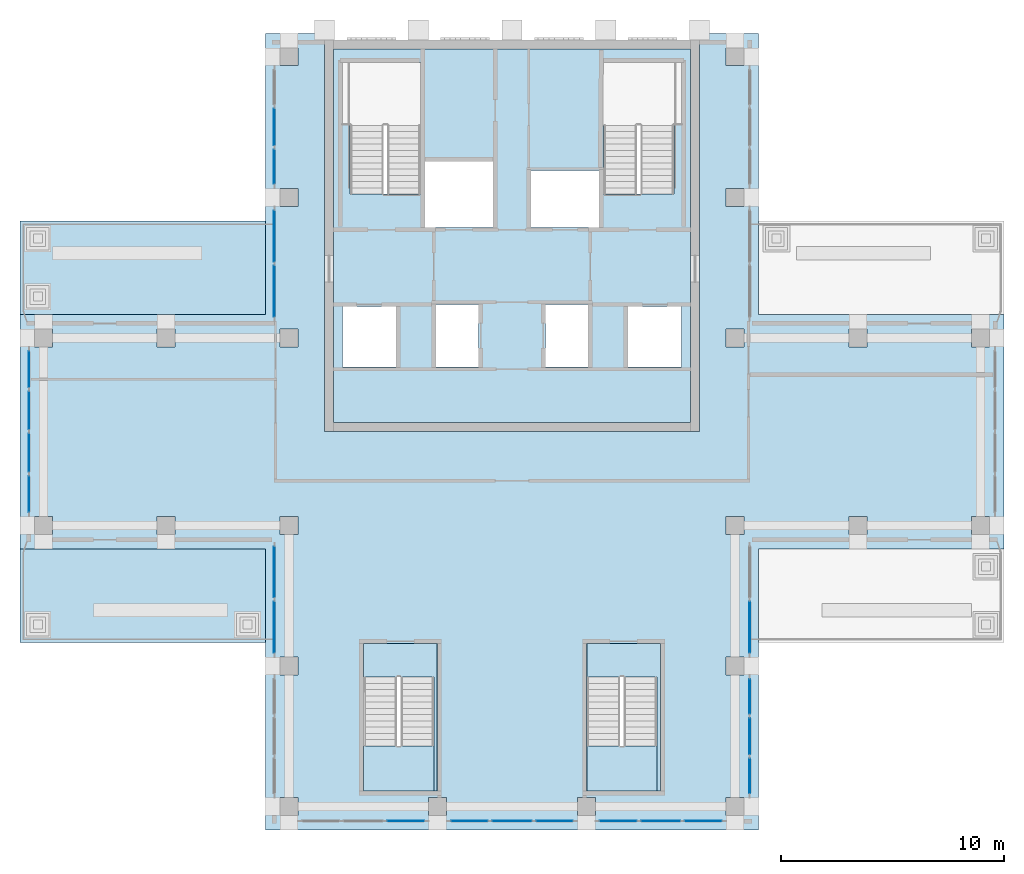
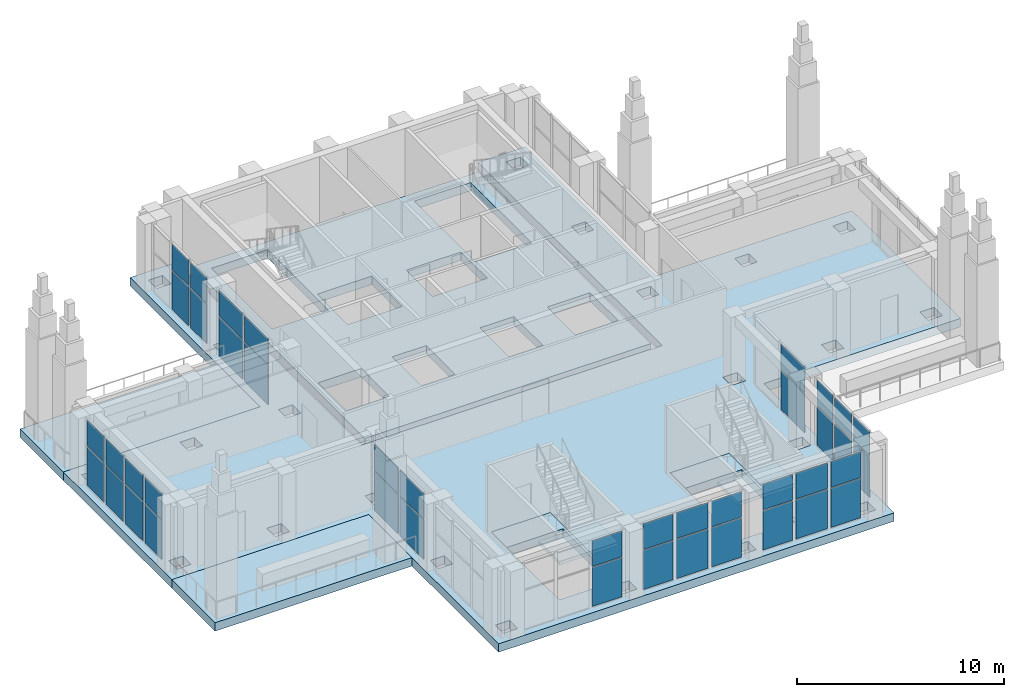
# One storey, part 7 of 14: 42 plates, 8 slabs, 11 elements without a shape of their own.
"""IFC4 building model written with IfcOpenShell, lengths in metres."""

from ifc_helpers import new_model, si_unit, direction, frame, origin, origin_2d, place, context, subcontext, project, spatial, polyline, rectangle, outline, extrude, material, layer, layer_set, type_object, element, aggregate, save


model = new_model("IFC4")

# Units and contexts
model_context = context("Model", 3, precision=1e-05, world=origin(), true_north=direction((0.0, 1.0)))
body_context = subcontext(model_context, "Body", "Model", "MODEL_VIEW")
ifc_project = project(units=[si_unit("LENGTHUNIT", "METRE"), si_unit("AREAUNIT", "SQUARE_METRE"), si_unit("VOLUMEUNIT", "CUBIC_METRE"), si_unit("PLANEANGLEUNIT", "RADIAN"), si_unit("MASSUNIT", "GRAM", prefix="KILO")], contexts=[model_context])

# Site, building, storey
site_placement = place(None, origin())
site = spatial("IfcSite", under=ifc_project, at=site_placement, CompositionType="ELEMENT")
building_placement = place(site_placement, origin())
building = spatial("IfcBuilding", under=site, at=building_placement, Name="Vermilion Ogive Tower", CompositionType="ELEMENT")
storey_placement = place(building_placement, frame((0.0, 0.0, 284.85009765625)))
storey = spatial("IfcBuildingStorey", under=building, at=storey_placement, Name="L74", CompositionType="ELEMENT", Elevation=284.85009765625)

# Curtain wall, plates
ifc_material_1 = material(Name="Low-iron laminated glazing in aluminium frame", Category="aluminium")
curtain_wall_type = type_object("IfcCurtainWallType", Name="Curtain wall CW3", PredefinedType="NOTDEFINED", material=ifc_material_1)
curtain_wall_1_placement = place(storey_placement, origin())
curtain_wall_1 = element("IfcCurtainWall", 1, at=curtain_wall_1_placement, inside=storey, type_object=curtain_wall_type, Name="CW3 glazing S1", PredefinedType="NOTDEFINED")
ifc_material_2 = material(Name="Low-iron laminated glazing in aluminium frame", Category="aluminium")
ifc_layer_1 = layer(ifc_material_2, 0.035888671875)
ifc_layer_set_1 = layer_set([ifc_layer_1], Name="CW3 glazing panel 36")
plate_type = type_object("IfcPlateType", Name="CW3 glazing panel 36", PredefinedType="CURTAIN_PANEL", material=ifc_layer_set_1)
plate_1_placement = place(storey_placement, frame((-4.76123046875, -13.25, 0.059814453125), z_axis=(0.0, 0.0, 1.0), x_axis=(1.0, 0.0, 0.0)))
plate_1 = element("IfcPlate", 2, at=plate_1_placement, type_object=plate_type, Name="CW3-S1 panel 3.1", PredefinedType="CURTAIN_PANEL", context=body_context, shape_type="SweptSolid", body=[
    extrude(rectangle(XDim=1.655517578125, YDim=0.035888671875, at=origin_2d()), origin(), (0.0, 0.0, 1.0), 2.31005859375),
])
plate_2_placement = place(storey_placement, frame((-4.76123046875, -13.25, 2.4296875), z_axis=(0.0, 0.0, 1.0), x_axis=(1.0, 0.0, 0.0)))
plate_2 = element("IfcPlate", 3, at=plate_2_placement, type_object=plate_type, Name="CW3-S1 panel 3.2", PredefinedType="CURTAIN_PANEL", context=body_context, shape_type="SweptSolid", body=[
    extrude(rectangle(XDim=1.655517578125, YDim=0.035888671875, at=origin_2d()), origin(), (0.0, 0.0, 1.0), 1.510009765625),
])
aggregate(curtain_wall_1, [plate_1, plate_2])

curtain_wall_2_placement = place(storey_placement, origin())
curtain_wall_2 = element("IfcCurtainWall", 4, at=curtain_wall_2_placement, inside=storey, type_object=curtain_wall_type, Name="CW3 glazing S2", PredefinedType="NOTDEFINED")
plate_3_placement = place(storey_placement, frame((-1.905517578125, -13.25, 0.059814453125), z_axis=(0.0, 0.0, 1.0), x_axis=(1.0, 0.0, 0.0)))
plate_3 = element("IfcPlate", 5, at=plate_3_placement, type_object=plate_type, Name="CW3-S2 panel 1.1", PredefinedType="CURTAIN_PANEL", context=body_context, shape_type="SweptSolid", body=[
    extrude(rectangle(XDim=1.655517578125, YDim=0.035888671875, at=origin_2d()), origin(), (0.0, 0.0, 1.0), 2.31005859375),
])
plate_4_placement = place(storey_placement, frame((-1.905517578125, -13.25, 2.4296875), z_axis=(0.0, 0.0, 1.0), x_axis=(1.0, 0.0, 0.0)))
plate_4 = element("IfcPlate", 6, at=plate_4_placement, type_object=plate_type, Name="CW3-S2 panel 1.2", PredefinedType="CURTAIN_PANEL", context=body_context, shape_type="SweptSolid", body=[
    extrude(rectangle(XDim=1.655517578125, YDim=0.035888671875, at=origin_2d()), origin(), (0.0, 0.0, 1.0), 1.510009765625),
])
plate_5_placement = place(storey_placement, frame((0.0, -13.25, 0.059814453125), z_axis=(0.0, 0.0, 1.0), x_axis=(1.0, 0.0, 0.0)))
plate_5 = element("IfcPlate", 7, at=plate_5_placement, type_object=plate_type, Name="CW3-S2 panel 2.1", PredefinedType="CURTAIN_PANEL", context=body_context, shape_type="SweptSolid", body=[
    extrude(rectangle(XDim=1.755615234375, YDim=0.035888671875, at=origin_2d()), origin(), (0.0, 0.0, 1.0), 2.31005859375),
])
plate_6_placement = place(storey_placement, frame((0.0, -13.25, 2.4296875), z_axis=(0.0, 0.0, 1.0), x_axis=(1.0, 0.0, 0.0)))
plate_6 = element("IfcPlate", 8, at=plate_6_placement, type_object=plate_type, Name="CW3-S2 panel 2.2", PredefinedType="CURTAIN_PANEL", context=body_context, shape_type="SweptSolid", body=[
    extrude(rectangle(XDim=1.755615234375, YDim=0.035888671875, at=origin_2d()), origin(), (0.0, 0.0, 1.0), 1.510009765625),
])
plate_7_placement = place(storey_placement, frame((1.905517578125, -13.25, 0.059814453125), z_axis=(0.0, 0.0, 1.0), x_axis=(1.0, 0.0, 0.0)))
plate_7 = element("IfcPlate", 9, at=plate_7_placement, type_object=plate_type, Name="CW3-S2 panel 3.1", PredefinedType="CURTAIN_PANEL", context=body_context, shape_type="SweptSolid", body=[
    extrude(rectangle(XDim=1.655517578125, YDim=0.035888671875, at=origin_2d()), origin(), (0.0, 0.0, 1.0), 2.31005859375),
])
plate_8_placement = place(storey_placement, frame((1.905517578125, -13.25, 2.4296875), z_axis=(0.0, 0.0, 1.0), x_axis=(1.0, 0.0, 0.0)))
plate_8 = element("IfcPlate", 10, at=plate_8_placement, type_object=plate_type, Name="CW3-S2 panel 3.2", PredefinedType="CURTAIN_PANEL", context=body_context, shape_type="SweptSolid", body=[
    extrude(rectangle(XDim=1.655517578125, YDim=0.035888671875, at=origin_2d()), origin(), (0.0, 0.0, 1.0), 1.510009765625),
])
aggregate(curtain_wall_2, [plate_3, plate_4, plate_5, plate_6, plate_7, plate_8])

curtain_wall_3_placement = place(storey_placement, origin())
curtain_wall_3 = element("IfcCurtainWall", 11, at=curtain_wall_3_placement, inside=storey, type_object=curtain_wall_type, Name="CW3 glazing S3", PredefinedType="NOTDEFINED")
plate_9_placement = place(storey_placement, frame((4.76123046875, -13.25, 0.059814453125), z_axis=(0.0, 0.0, 1.0), x_axis=(1.0, 0.0, 0.0)))
plate_9 = element("IfcPlate", 12, at=plate_9_placement, type_object=plate_type, Name="CW3-S3 panel 1.1", PredefinedType="CURTAIN_PANEL", context=body_context, shape_type="SweptSolid", body=[
    extrude(rectangle(XDim=1.655517578125, YDim=0.035888671875, at=origin_2d()), origin(), (0.0, 0.0, 1.0), 2.31005859375),
])
plate_10_placement = place(storey_placement, frame((4.76123046875, -13.25, 2.4296875), z_axis=(0.0, 0.0, 1.0), x_axis=(1.0, 0.0, 0.0)))
plate_10 = element("IfcPlate", 13, at=plate_10_placement, type_object=plate_type, Name="CW3-S3 panel 1.2", PredefinedType="CURTAIN_PANEL", context=body_context, shape_type="SweptSolid", body=[
    extrude(rectangle(XDim=1.655517578125, YDim=0.035888671875, at=origin_2d()), origin(), (0.0, 0.0, 1.0), 1.510009765625),
])
plate_11_placement = place(storey_placement, frame((6.666748046875, -13.25, 0.059814453125), z_axis=(0.0, 0.0, 1.0), x_axis=(1.0, 0.0, 0.0)))
plate_11 = element("IfcPlate", 14, at=plate_11_placement, type_object=plate_type, Name="CW3-S3 panel 2.1", PredefinedType="CURTAIN_PANEL", context=body_context, shape_type="SweptSolid", body=[
    extrude(rectangle(XDim=1.755615234375, YDim=0.035888671875, at=origin_2d()), origin(), (0.0, 0.0, 1.0), 2.31005859375),
])
plate_12_placement = place(storey_placement, frame((6.666748046875, -13.25, 2.4296875), z_axis=(0.0, 0.0, 1.0), x_axis=(1.0, 0.0, 0.0)))
plate_12 = element("IfcPlate", 15, at=plate_12_placement, type_object=plate_type, Name="CW3-S3 panel 2.2", PredefinedType="CURTAIN_PANEL", context=body_context, shape_type="SweptSolid", body=[
    extrude(rectangle(XDim=1.755615234375, YDim=0.035888671875, at=origin_2d()), origin(), (0.0, 0.0, 1.0), 1.510009765625),
])
plate_13_placement = place(storey_placement, frame((8.572265625, -13.25, 0.059814453125), z_axis=(0.0, 0.0, 1.0), x_axis=(1.0, 0.0, 0.0)))
plate_13 = element("IfcPlate", 16, at=plate_13_placement, type_object=plate_type, Name="CW3-S3 panel 3.1", PredefinedType="CURTAIN_PANEL", context=body_context, shape_type="SweptSolid", body=[
    extrude(rectangle(XDim=1.655517578125, YDim=0.035888671875, at=origin_2d()), origin(), (0.0, 0.0, 1.0), 2.31005859375),
])
plate_14_placement = place(storey_placement, frame((8.572265625, -13.25, 2.4296875), z_axis=(0.0, 0.0, 1.0), x_axis=(1.0, 0.0, 0.0)))
plate_14 = element("IfcPlate", 17, at=plate_14_placement, type_object=plate_type, Name="CW3-S3 panel 3.2", PredefinedType="CURTAIN_PANEL", context=body_context, shape_type="SweptSolid", body=[
    extrude(rectangle(XDim=1.655517578125, YDim=0.035888671875, at=origin_2d()), origin(), (0.0, 0.0, 1.0), 1.510009765625),
])
aggregate(curtain_wall_3, [plate_9, plate_10, plate_11, plate_12, plate_13, plate_14])

curtain_wall_4_placement = place(storey_placement, origin())
curtain_wall_4 = element("IfcCurtainWall", 18, at=curtain_wall_4_placement, inside=storey, type_object=curtain_wall_type, Name="CW3 glazing X11", PredefinedType="NOTDEFINED")
plate_15_placement = place(storey_placement, frame((10.64990234375, -11.2333984375, 0.059814453125), z_axis=(0.0, 0.0, 1.0), x_axis=(0.0, 1.0, 0.0)))
plate_15 = element("IfcPlate", 19, at=plate_15_placement, type_object=plate_type, Name="CW3-X11 panel 1.1", PredefinedType="CURTAIN_PANEL", context=body_context, shape_type="SweptSolid", body=[
    extrude(rectangle(XDim=1.533447265625, YDim=0.035888671875, at=origin_2d()), origin(), (0.0, 0.0, 1.0), 2.31005859375),
])
plate_16_placement = place(storey_placement, frame((10.64990234375, -11.2333984375, 2.4296875), z_axis=(0.0, 0.0, 1.0), x_axis=(0.0, 1.0, 0.0)))
plate_16 = element("IfcPlate", 20, at=plate_16_placement, type_object=plate_type, Name="CW3-X11 panel 1.2", PredefinedType="CURTAIN_PANEL", context=body_context, shape_type="SweptSolid", body=[
    extrude(rectangle(XDim=1.533447265625, YDim=0.035888671875, at=origin_2d()), origin(), (0.0, 0.0, 1.0), 1.510009765625),
])
plate_17_placement = place(storey_placement, frame((10.64990234375, -9.449951171875, 0.059814453125), z_axis=(0.0, 0.0, 1.0), x_axis=(0.0, 1.0, 0.0)))
plate_17 = element("IfcPlate", 21, at=plate_17_placement, type_object=plate_type, Name="CW3-X11 panel 2.1", PredefinedType="CURTAIN_PANEL", context=body_context, shape_type="SweptSolid", body=[
    extrude(rectangle(XDim=1.63330078125, YDim=0.035888671875, at=origin_2d()), origin(), (0.0, 0.0, 1.0), 2.31005859375),
])
plate_18_placement = place(storey_placement, frame((10.64990234375, -9.449951171875, 2.4296875), z_axis=(0.0, 0.0, 1.0), x_axis=(0.0, 1.0, 0.0)))
plate_18 = element("IfcPlate", 22, at=plate_18_placement, type_object=plate_type, Name="CW3-X11 panel 2.2", PredefinedType="CURTAIN_PANEL", context=body_context, shape_type="SweptSolid", body=[
    extrude(rectangle(XDim=1.63330078125, YDim=0.035888671875, at=origin_2d()), origin(), (0.0, 0.0, 1.0), 1.510009765625),
])
plate_19_placement = place(storey_placement, frame((10.64990234375, -7.666748046875, 0.059814453125), z_axis=(0.0, 0.0, 1.0), x_axis=(0.0, 1.0, 0.0)))
plate_19 = element("IfcPlate", 23, at=plate_19_placement, type_object=plate_type, Name="CW3-X11 panel 3.1", PredefinedType="CURTAIN_PANEL", context=body_context, shape_type="SweptSolid", body=[
    extrude(rectangle(XDim=1.533447265625, YDim=0.035888671875, at=origin_2d()), origin(), (0.0, 0.0, 1.0), 2.31005859375),
])
plate_20_placement = place(storey_placement, frame((10.64990234375, -7.666748046875, 2.4296875), z_axis=(0.0, 0.0, 1.0), x_axis=(0.0, 1.0, 0.0)))
plate_20 = element("IfcPlate", 24, at=plate_20_placement, type_object=plate_type, Name="CW3-X11 panel 3.2", PredefinedType="CURTAIN_PANEL", context=body_context, shape_type="SweptSolid", body=[
    extrude(rectangle(XDim=1.533447265625, YDim=0.035888671875, at=origin_2d()), origin(), (0.0, 0.0, 1.0), 1.510009765625),
])
aggregate(curtain_wall_4, [plate_15, plate_16, plate_17, plate_18, plate_19, plate_20])

curtain_wall_5_placement = place(storey_placement, origin())
curtain_wall_5 = element("IfcCurtainWall", 25, at=curtain_wall_5_placement, inside=storey, type_object=curtain_wall_type, Name="CW3 glazing X12", PredefinedType="NOTDEFINED")
plate_21_placement = place(storey_placement, frame((10.64990234375, -4.5625, 0.059814453125), z_axis=(0.0, 0.0, 1.0), x_axis=(0.0, 1.0, 0.0)))
plate_21 = element("IfcPlate", 26, at=plate_21_placement, type_object=plate_type, Name="CW3-X12 panel 1.1", PredefinedType="CURTAIN_PANEL", context=body_context, shape_type="SweptSolid", body=[
    extrude(rectangle(XDim=2.27490234375, YDim=0.035888671875, at=origin_2d()), origin(), (0.0, 0.0, 1.0), 2.31005859375),
])
plate_22_placement = place(storey_placement, frame((10.64990234375, -4.5625, 2.4296875), z_axis=(0.0, 0.0, 1.0), x_axis=(0.0, 1.0, 0.0)))
plate_22 = element("IfcPlate", 27, at=plate_22_placement, type_object=plate_type, Name="CW3-X12 panel 1.2", PredefinedType="CURTAIN_PANEL", context=body_context, shape_type="SweptSolid", body=[
    extrude(rectangle(XDim=2.27490234375, YDim=0.035888671875, at=origin_2d()), origin(), (0.0, 0.0, 1.0), 1.510009765625),
])
aggregate(curtain_wall_5, [plate_21, plate_22])

curtain_wall_6_placement = place(storey_placement, origin())
curtain_wall_6 = element("IfcCurtainWall", 28, at=curtain_wall_6_placement, inside=storey, type_object=curtain_wall_type, Name="CW3 glazing X51", PredefinedType="NOTDEFINED")
plate_23_placement = place(storey_placement, frame((-10.64990234375, 17.85009765625, 0.059814453125), z_axis=(0.0, 0.0, 1.0), x_axis=(0.0, -1.0, 0.0)))
plate_23 = element("IfcPlate", 29, at=plate_23_placement, type_object=plate_type, Name="CW3-X51 panel 2.1", PredefinedType="CURTAIN_PANEL", context=body_context, shape_type="SweptSolid", body=[
    extrude(rectangle(XDim=1.63330078125, YDim=0.035888671875, at=origin_2d()), origin(), (0.0, 0.0, 1.0), 2.31005859375),
])
plate_24_placement = place(storey_placement, frame((-10.64990234375, 17.85009765625, 2.4296875), z_axis=(0.0, 0.0, 1.0), x_axis=(0.0, -1.0, 0.0)))
plate_24 = element("IfcPlate", 30, at=plate_24_placement, type_object=plate_type, Name="CW3-X51 panel 2.2", PredefinedType="CURTAIN_PANEL", context=body_context, shape_type="SweptSolid", body=[
    extrude(rectangle(XDim=1.63330078125, YDim=0.035888671875, at=origin_2d()), origin(), (0.0, 0.0, 1.0), 1.510009765625),
])
plate_25_placement = place(storey_placement, frame((-10.64990234375, 16.066650390625, 0.059814453125), z_axis=(0.0, 0.0, 1.0), x_axis=(0.0, -1.0, 0.0)))
plate_25 = element("IfcPlate", 31, at=plate_25_placement, type_object=plate_type, Name="CW3-X51 panel 3.1", PredefinedType="CURTAIN_PANEL", context=body_context, shape_type="SweptSolid", body=[
    extrude(rectangle(XDim=1.533447265625, YDim=0.035888671875, at=origin_2d()), origin(), (0.0, 0.0, 1.0), 2.31005859375),
])
plate_26_placement = place(storey_placement, frame((-10.64990234375, 16.066650390625, 2.4296875), z_axis=(0.0, 0.0, 1.0), x_axis=(0.0, -1.0, 0.0)))
plate_26 = element("IfcPlate", 32, at=plate_26_placement, type_object=plate_type, Name="CW3-X51 panel 3.2", PredefinedType="CURTAIN_PANEL", context=body_context, shape_type="SweptSolid", body=[
    extrude(rectangle(XDim=1.533447265625, YDim=0.035888671875, at=origin_2d()), origin(), (0.0, 0.0, 1.0), 1.510009765625),
])
aggregate(curtain_wall_6, [plate_23, plate_24, plate_25, plate_26])

curtain_wall_7_placement = place(storey_placement, origin())
curtain_wall_7 = element("IfcCurtainWall", 33, at=curtain_wall_7_placement, inside=storey, type_object=curtain_wall_type, Name="CW3 glazing X52", PredefinedType="NOTDEFINED")
plate_27_placement = place(storey_placement, frame((-10.64990234375, 12.96240234375, 0.059814453125), z_axis=(0.0, 0.0, 1.0), x_axis=(0.0, -1.0, 0.0)))
plate_27 = element("IfcPlate", 34, at=plate_27_placement, type_object=plate_type, Name="CW3-X52 panel 1.1", PredefinedType="CURTAIN_PANEL", context=body_context, shape_type="SweptSolid", body=[
    extrude(rectangle(XDim=2.27490234375, YDim=0.035888671875, at=origin_2d()), origin(), (0.0, 0.0, 1.0), 2.31005859375),
])
plate_28_placement = place(storey_placement, frame((-10.64990234375, 12.96240234375, 2.4296875), z_axis=(0.0, 0.0, 1.0), x_axis=(0.0, -1.0, 0.0)))
plate_28 = element("IfcPlate", 35, at=plate_28_placement, type_object=plate_type, Name="CW3-X52 panel 1.2", PredefinedType="CURTAIN_PANEL", context=body_context, shape_type="SweptSolid", body=[
    extrude(rectangle(XDim=2.27490234375, YDim=0.035888671875, at=origin_2d()), origin(), (0.0, 0.0, 1.0), 1.510009765625),
])
plate_29_placement = place(storey_placement, frame((-10.64990234375, 10.487548828125, 0.059814453125), z_axis=(0.0, 0.0, 1.0), x_axis=(0.0, -1.0, 0.0)))
plate_29 = element("IfcPlate", 36, at=plate_29_placement, type_object=plate_type, Name="CW3-X52 panel 2.1", PredefinedType="CURTAIN_PANEL", context=body_context, shape_type="SweptSolid", body=[
    extrude(rectangle(XDim=2.27490234375, YDim=0.035888671875, at=origin_2d()), origin(), (0.0, 0.0, 1.0), 2.31005859375),
])
plate_30_placement = place(storey_placement, frame((-10.64990234375, 10.487548828125, 2.4296875), z_axis=(0.0, 0.0, 1.0), x_axis=(0.0, -1.0, 0.0)))
plate_30 = element("IfcPlate", 37, at=plate_30_placement, type_object=plate_type, Name="CW3-X52 panel 2.2", PredefinedType="CURTAIN_PANEL", context=body_context, shape_type="SweptSolid", body=[
    extrude(rectangle(XDim=2.27490234375, YDim=0.035888671875, at=origin_2d()), origin(), (0.0, 0.0, 1.0), 1.510009765625),
])
aggregate(curtain_wall_7, [plate_27, plate_28, plate_29, plate_30])

curtain_wall_8_placement = place(storey_placement, origin())
curtain_wall_8 = element("IfcCurtainWall", 38, at=curtain_wall_8_placement, inside=storey, type_object=curtain_wall_type, Name="CW3 glazing W1", PredefinedType="NOTDEFINED")
plate_31_placement = place(storey_placement, frame((-21.64990234375, 7.0, 0.059814453125), z_axis=(0.0, 0.0, 1.0), x_axis=(0.0, -1.0, 0.0)))
plate_31 = element("IfcPlate", 39, at=plate_31_placement, type_object=plate_type, Name="CW3-W1 panel 1.1", PredefinedType="CURTAIN_PANEL", context=body_context, shape_type="SweptSolid", body=[
    extrude(rectangle(XDim=1.60009765625, YDim=0.035888671875, at=origin_2d()), origin(), (0.0, 0.0, 1.0), 2.31005859375),
])
plate_32_placement = place(storey_placement, frame((-21.64990234375, 7.0, 2.4296875), z_axis=(0.0, 0.0, 1.0), x_axis=(0.0, -1.0, 0.0)))
plate_32 = element("IfcPlate", 40, at=plate_32_placement, type_object=plate_type, Name="CW3-W1 panel 1.2", PredefinedType="CURTAIN_PANEL", context=body_context, shape_type="SweptSolid", body=[
    extrude(rectangle(XDim=1.60009765625, YDim=0.035888671875, at=origin_2d()), origin(), (0.0, 0.0, 1.0), 1.510009765625),
])
plate_33_placement = place(storey_placement, frame((-21.64990234375, 5.14990234375, 0.059814453125), z_axis=(0.0, 0.0, 1.0), x_axis=(0.0, -1.0, 0.0)))
plate_33 = element("IfcPlate", 41, at=plate_33_placement, type_object=plate_type, Name="CW3-W1 panel 2.1", PredefinedType="CURTAIN_PANEL", context=body_context, shape_type="SweptSolid", body=[
    extrude(rectangle(XDim=1.699951171875, YDim=0.035888671875, at=origin_2d()), origin(), (0.0, 0.0, 1.0), 2.31005859375),
])
plate_34_placement = place(storey_placement, frame((-21.64990234375, 5.14990234375, 2.4296875), z_axis=(0.0, 0.0, 1.0), x_axis=(0.0, -1.0, 0.0)))
plate_34 = element("IfcPlate", 42, at=plate_34_placement, type_object=plate_type, Name="CW3-W1 panel 2.2", PredefinedType="CURTAIN_PANEL", context=body_context, shape_type="SweptSolid", body=[
    extrude(rectangle(XDim=1.699951171875, YDim=0.035888671875, at=origin_2d()), origin(), (0.0, 0.0, 1.0), 1.510009765625),
])
plate_35_placement = place(storey_placement, frame((-21.64990234375, 3.25, 0.059814453125), z_axis=(0.0, 0.0, 1.0), x_axis=(0.0, -1.0, 0.0)))
plate_35 = element("IfcPlate", 43, at=plate_35_placement, type_object=plate_type, Name="CW3-W1 panel 3.1", PredefinedType="CURTAIN_PANEL", context=body_context, shape_type="SweptSolid", body=[
    extrude(rectangle(XDim=1.699951171875, YDim=0.035888671875, at=origin_2d()), origin(), (0.0, 0.0, 1.0), 2.31005859375),
])
plate_36_placement = place(storey_placement, frame((-21.64990234375, 3.25, 2.4296875), z_axis=(0.0, 0.0, 1.0), x_axis=(0.0, -1.0, 0.0)))
plate_36 = element("IfcPlate", 44, at=plate_36_placement, type_object=plate_type, Name="CW3-W1 panel 3.2", PredefinedType="CURTAIN_PANEL", context=body_context, shape_type="SweptSolid", body=[
    extrude(rectangle(XDim=1.699951171875, YDim=0.035888671875, at=origin_2d()), origin(), (0.0, 0.0, 1.0), 1.510009765625),
])
plate_37_placement = place(storey_placement, frame((-21.64990234375, 1.39990234375, 0.059814453125), z_axis=(0.0, 0.0, 1.0), x_axis=(0.0, -1.0, 0.0)))
plate_37 = element("IfcPlate", 45, at=plate_37_placement, type_object=plate_type, Name="CW3-W1 panel 4.1", PredefinedType="CURTAIN_PANEL", context=body_context, shape_type="SweptSolid", body=[
    extrude(rectangle(XDim=1.60009765625, YDim=0.035888671875, at=origin_2d()), origin(), (0.0, 0.0, 1.0), 2.31005859375),
])
plate_38_placement = place(storey_placement, frame((-21.64990234375, 1.39990234375, 2.4296875), z_axis=(0.0, 0.0, 1.0), x_axis=(0.0, -1.0, 0.0)))
plate_38 = element("IfcPlate", 46, at=plate_38_placement, type_object=plate_type, Name="CW3-W1 panel 4.2", PredefinedType="CURTAIN_PANEL", context=body_context, shape_type="SweptSolid", body=[
    extrude(rectangle(XDim=1.60009765625, YDim=0.035888671875, at=origin_2d()), origin(), (0.0, 0.0, 1.0), 1.510009765625),
])
aggregate(curtain_wall_8, [plate_31, plate_32, plate_33, plate_34, plate_35, plate_36, plate_37, plate_38])

curtain_wall_9_placement = place(storey_placement, origin())
curtain_wall_9 = element("IfcCurtainWall", 47, at=curtain_wall_9_placement, inside=storey, type_object=curtain_wall_type, Name="CW3 glazing X81", PredefinedType="NOTDEFINED")
plate_39_placement = place(storey_placement, frame((-10.64990234375, -2.08740234375, 0.059814453125), z_axis=(0.0, 0.0, 1.0), x_axis=(0.0, -1.0, 0.0)))
plate_39 = element("IfcPlate", 48, at=plate_39_placement, type_object=plate_type, Name="CW3-X81 panel 1.1", PredefinedType="CURTAIN_PANEL", context=body_context, shape_type="SweptSolid", body=[
    extrude(rectangle(XDim=2.27490234375, YDim=0.035888671875, at=origin_2d()), origin(), (0.0, 0.0, 1.0), 2.31005859375),
])
plate_40_placement = place(storey_placement, frame((-10.64990234375, -2.08740234375, 2.4296875), z_axis=(0.0, 0.0, 1.0), x_axis=(0.0, -1.0, 0.0)))
plate_40 = element("IfcPlate", 49, at=plate_40_placement, type_object=plate_type, Name="CW3-X81 panel 1.2", PredefinedType="CURTAIN_PANEL", context=body_context, shape_type="SweptSolid", body=[
    extrude(rectangle(XDim=2.27490234375, YDim=0.035888671875, at=origin_2d()), origin(), (0.0, 0.0, 1.0), 1.510009765625),
])
plate_41_placement = place(storey_placement, frame((-10.64990234375, -4.5625, 0.059814453125), z_axis=(0.0, 0.0, 1.0), x_axis=(0.0, -1.0, 0.0)))
plate_41 = element("IfcPlate", 50, at=plate_41_placement, type_object=plate_type, Name="CW3-X81 panel 2.1", PredefinedType="CURTAIN_PANEL", context=body_context, shape_type="SweptSolid", body=[
    extrude(rectangle(XDim=2.27490234375, YDim=0.035888671875, at=origin_2d()), origin(), (0.0, 0.0, 1.0), 2.31005859375),
])
plate_42_placement = place(storey_placement, frame((-10.64990234375, -4.5625, 2.4296875), z_axis=(0.0, 0.0, 1.0), x_axis=(0.0, -1.0, 0.0)))
plate_42 = element("IfcPlate", 51, at=plate_42_placement, type_object=plate_type, Name="CW3-X81 panel 2.2", PredefinedType="CURTAIN_PANEL", context=body_context, shape_type="SweptSolid", body=[
    extrude(rectangle(XDim=2.27490234375, YDim=0.035888671875, at=origin_2d()), origin(), (0.0, 0.0, 1.0), 1.510009765625),
])
aggregate(curtain_wall_9, [plate_39, plate_40, plate_41, plate_42])

# Slabs
ifc_material_3 = material(Name="Concrete B40", Category="concrete")
ifc_layer_2 = layer(ifc_material_3, 0.5)
ifc_layer_set_2 = layer_set([ifc_layer_2], Name="Core floor slab 500 B40")
slab_type_1 = type_object("IfcSlabType", Name="Core floor slab 500 B40", PredefinedType="FLOOR", material=ifc_layer_set_2)
slab_1_placement = place(storey_placement, frame((0.0, 0.0, -0.5)))
element("IfcSlab", 52, at=slab_1_placement, inside=storey, type_object=slab_type_1, Name="L74-CK-FS1", PredefinedType="FLOOR", context=body_context, shape_type="SweptSolid", body=[
    extrude(outline(polyline([(7.99609375, 21.345947265625), (-7.99609375, 21.345947265625), (-7.99609375, 4.60400390625), (7.99609375, 4.60400390625), (7.99609375, 21.345947265625)]), holes=[polyline([(-7.60009765625, 9.800048828125), (-5.199951171875, 9.800048828125), (-5.199951171875, 7.10009765625), (-7.60009765625, 7.10009765625), (-7.60009765625, 9.800048828125)]), polyline([(7.60009765625, 9.800048828125), (7.60009765625, 7.10009765625), (5.199951171875, 7.10009765625), (5.199951171875, 9.800048828125), (7.60009765625, 9.800048828125)]), polyline([(-1.5, 9.89990234375), (-1.5, 7.10009765625), (-3.39990234375, 7.10009765625), (-3.39990234375, 9.89990234375), (-1.5, 9.89990234375)]), polyline([(1.5, 9.89990234375), (3.39990234375, 9.89990234375), (3.39990234375, 7.10009765625), (1.5, 7.10009765625), (1.5, 9.89990234375)]), polyline([(0.85009765625, 15.89990234375), (3.89990234375, 15.89990234375), (3.89990234375, 13.35009765625), (0.85009765625, 13.35009765625), (0.85009765625, 15.89990234375)]), polyline([(-3.89990234375, 16.300048828125), (-0.85009765625, 16.300048828125), (-0.85009765625, 13.35009765625), (-3.89990234375, 13.35009765625), (-3.89990234375, 16.300048828125)]), polyline([(-7.25, 14.85205078125), (-7.25, 20.75), (-4.10009765625, 20.75), (-4.10009765625, 14.85205078125), (-5.60009765625, 14.85205078125), (-5.60009765625, 14.85009765625), (-5.75, 14.85009765625), (-5.75, 14.85205078125), (-7.25, 14.85205078125)]), polyline([(5.75, 14.85009765625), (5.60009765625, 14.85009765625), (5.60009765625, 14.85205078125), (4.10009765625, 14.85205078125), (4.10009765625, 20.75), (7.25, 20.75), (7.25, 14.85205078125), (5.75, 14.85205078125), (5.75, 14.85009765625)])]), origin(), (0.0, 0.0, 1.0), 0.5),
])
slab_2_placement = place(storey_placement, frame((0.0, 0.0, -0.5)))
element("IfcSlab", 53, at=slab_2_placement, inside=storey, type_object=slab_type_1, Name="L74-SF-ST6-1", PredefinedType="FLOOR", context=body_context, shape_type="SweptSolid", body=[
    extrude(outline(polyline([(3.35009765625, -5.300048828125), (3.35009765625, -6.802001953125), (4.85009765625, -6.802001953125), (4.85009765625, -6.800048828125), (5.0, -6.800048828125), (5.0, -6.802001953125), (6.5, -6.802001953125), (6.5, -11.89990234375), (6.64990234375, -11.89990234375), (6.64990234375, -5.300048828125), (3.35009765625, -5.300048828125)])), origin(), (0.0, 0.0, 1.0), 0.5),
])
slab_3_placement = place(storey_placement, frame((0.0, 0.0, -0.5)))
element("IfcSlab", 54, at=slab_3_placement, inside=storey, type_object=slab_type_1, Name="L74-SF-ST7-1", PredefinedType="FLOOR", context=body_context, shape_type="SweptSolid", body=[
    extrude(outline(polyline([(-6.64990234375, -5.300048828125), (-6.64990234375, -6.802001953125), (-5.14990234375, -6.802001953125), (-5.14990234375, -6.800048828125), (-5.0, -6.800048828125), (-5.0, -6.802001953125), (-3.5, -6.802001953125), (-3.5, -11.89990234375), (-3.35009765625, -11.89990234375), (-3.35009765625, -5.300048828125), (-6.64990234375, -5.300048828125)])), origin(), (0.0, 0.0, 1.0), 0.5),
])
ifc_material_4 = material(Name="Concrete B45", Category="concrete")
ifc_layer_3 = layer(ifc_material_4, 0.5)
ifc_layer_set_3 = layer_set([ifc_layer_3], Name="Post-tensioned flat plate 500 B45")
slab_type_2 = type_object("IfcSlabType", Name="Post-tensioned flat plate 500 B45", PredefinedType="FLOOR", material=ifc_layer_set_3)
slab_4_placement = place(storey_placement, frame((0.0, 0.0, -0.5)))
element("IfcSlab", 55, at=slab_4_placement, inside=storey, type_object=slab_type_2, Name="L74-SL-1", PredefinedType="FLOOR", context=body_context, shape_type="SweptSolid", body=[
    extrude(outline(polyline([(-11.050048828125, -1.050048828125), (-22.050048828125, -1.050048828125), (-22.050048828125, 9.449951171875), (-11.050048828125, 9.449951171875), (-11.050048828125, 22.050048828125), (-8.39990234375, 22.050048828125), (-8.39990234375, 4.199951171875), (8.39990234375, 4.199951171875), (8.39990234375, 22.050048828125), (11.050048828125, 22.050048828125), (11.050048828125, 9.449951171875), (22.050048828125, 9.449951171875), (22.050048828125, -1.050048828125), (11.050048828125, -1.050048828125), (11.050048828125, -13.64990234375), (-11.050048828125, -13.64990234375), (-11.050048828125, -1.050048828125)]), holes=[polyline([(21.39990234375, 8.0), (21.39990234375, 8.800048828125), (20.60009765625, 8.800048828125), (20.60009765625, 8.0), (21.39990234375, 8.0)]), polyline([(21.39990234375, -0.39990234375), (21.39990234375, 0.39990234375), (20.60009765625, 0.39990234375), (20.60009765625, -0.39990234375), (21.39990234375, -0.39990234375)]), polyline([(15.89990234375, 8.0), (15.89990234375, 8.800048828125), (15.10009765625, 8.800048828125), (15.10009765625, 8.0), (15.89990234375, 8.0)]), polyline([(15.89990234375, -0.39990234375), (15.89990234375, 0.39990234375), (15.10009765625, 0.39990234375), (15.10009765625, -0.39990234375), (15.89990234375, -0.39990234375)]), polyline([(10.39990234375, 20.60009765625), (10.39990234375, 21.39990234375), (9.60009765625, 21.39990234375), (9.60009765625, 20.60009765625), (10.39990234375, 20.60009765625)]), polyline([(10.39990234375, 14.300048828125), (10.39990234375, 15.10009765625), (9.60009765625, 15.10009765625), (9.60009765625, 14.300048828125), (10.39990234375, 14.300048828125)]), polyline([(10.39990234375, 8.0), (10.39990234375, 8.800048828125), (9.60009765625, 8.800048828125), (9.60009765625, 8.0), (10.39990234375, 8.0)]), polyline([(10.39990234375, -0.39990234375), (10.39990234375, 0.39990234375), (9.60009765625, 0.39990234375), (9.60009765625, -0.39990234375), (10.39990234375, -0.39990234375)]), polyline([(10.39990234375, -6.699951171875), (10.39990234375, -5.89990234375), (9.60009765625, -5.89990234375), (9.60009765625, -6.699951171875), (10.39990234375, -6.699951171875)]), polyline([(10.39990234375, -13.0), (10.39990234375, -12.199951171875), (9.60009765625, -12.199951171875), (9.60009765625, -13.0), (10.39990234375, -13.0)]), polyline([(6.64990234375, -11.89990234375), (6.64990234375, -5.300048828125), (3.35009765625, -5.300048828125), (3.35009765625, -11.89990234375), (6.64990234375, -11.89990234375)]), polyline([(3.7333984375, -13.0), (3.7333984375, -12.199951171875), (2.933349609375, -12.199951171875), (2.933349609375, -13.0), (3.7333984375, -13.0)]), polyline([(-2.933349609375, -13.0), (-2.933349609375, -12.199951171875), (-3.7333984375, -12.199951171875), (-3.7333984375, -13.0), (-2.933349609375, -13.0)]), polyline([(-3.35009765625, -11.89990234375), (-3.35009765625, -5.300048828125), (-6.64990234375, -5.300048828125), (-6.64990234375, -11.89990234375), (-3.35009765625, -11.89990234375)]), polyline([(-9.60009765625, 20.60009765625), (-9.60009765625, 21.39990234375), (-10.39990234375, 21.39990234375), (-10.39990234375, 20.60009765625), (-9.60009765625, 20.60009765625)]), polyline([(-9.60009765625, 14.300048828125), (-9.60009765625, 15.10009765625), (-10.39990234375, 15.10009765625), (-10.39990234375, 14.300048828125), (-9.60009765625, 14.300048828125)]), polyline([(-9.60009765625, 8.0), (-9.60009765625, 8.800048828125), (-10.39990234375, 8.800048828125), (-10.39990234375, 8.0), (-9.60009765625, 8.0)]), polyline([(-9.60009765625, -0.39990234375), (-9.60009765625, 0.39990234375), (-10.39990234375, 0.39990234375), (-10.39990234375, -0.39990234375), (-9.60009765625, -0.39990234375)]), polyline([(-9.60009765625, -6.699951171875), (-9.60009765625, -5.89990234375), (-10.39990234375, -5.89990234375), (-10.39990234375, -6.699951171875), (-9.60009765625, -6.699951171875)]), polyline([(-9.60009765625, -12.199951171875), (-10.39990234375, -12.199951171875), (-10.39990234375, -13.0), (-9.60009765625, -13.0), (-9.60009765625, -12.199951171875)]), polyline([(-15.10009765625, 8.0), (-15.10009765625, 8.800048828125), (-15.89990234375, 8.800048828125), (-15.89990234375, 8.0), (-15.10009765625, 8.0)]), polyline([(-15.10009765625, -0.39990234375), (-15.10009765625, 0.39990234375), (-15.89990234375, 0.39990234375), (-15.89990234375, -0.39990234375), (-15.10009765625, -0.39990234375)]), polyline([(-20.60009765625, -0.39990234375), (-20.60009765625, 0.39990234375), (-21.39990234375, 0.39990234375), (-21.39990234375, -0.39990234375), (-20.60009765625, -0.39990234375)]), polyline([(-20.60009765625, 8.800048828125), (-21.39990234375, 8.800048828125), (-21.39990234375, 8.0), (-20.60009765625, 8.0), (-20.60009765625, 8.800048828125)])]), origin(), (0.0, 0.0, 1.0), 0.5),
])
slab_5_placement = place(storey_placement, frame((0.0, 0.0, -0.5)))
element("IfcSlab", 56, at=slab_5_placement, inside=storey, type_object=slab_type_2, Name="L74-TR-2", PredefinedType="FLOOR", context=body_context, shape_type="SweptSolid", body=[
    extrude(outline(polyline([(-22.050048828125, -1.050048828125), (-11.050048828125, -1.050048828125), (-11.050048828125, -5.25), (-22.050048828125, -5.25), (-22.050048828125, -1.050048828125)])), origin(), (0.0, 0.0, 1.0), 0.5),
])
slab_6_placement = place(storey_placement, frame((0.0, 0.0, -0.5)))
element("IfcSlab", 57, at=slab_6_placement, inside=storey, type_object=slab_type_2, Name="L74-TR-4", PredefinedType="FLOOR", context=body_context, shape_type="SweptSolid", body=[
    extrude(outline(polyline([(-11.050048828125, 13.64990234375), (-11.050048828125, 9.449951171875), (-22.050048828125, 9.449951171875), (-22.050048828125, 13.64990234375), (-11.050048828125, 13.64990234375)])), origin(), (0.0, 0.0, 1.0), 0.5),
])

# Stair, slab
ifc_material_5 = material(Name="Concrete B40", Category="concrete")
stair_type = type_object("IfcStairType", Name="Exit stair 1500", PredefinedType="HALF_TURN_STAIR", material=ifc_material_5)
stair_1_placement = place(storey_placement, origin())
stair_1 = element("IfcStair", 58, at=stair_1_placement, inside=storey, type_object=stair_type, Name="L74 Exit Stair ST6", PredefinedType="HALF_TURN_STAIR")
ifc_material_6 = material(Name="Concrete B40", Category="concrete")
ifc_layer_4 = layer(ifc_material_6, 0.199951171875)
ifc_layer_set_4 = layer_set([ifc_layer_4], Name="Stair landing 200")
slab_type_3 = type_object("IfcSlabType", Name="Stair landing 200", PredefinedType="LANDING", material=ifc_layer_set_4)
slab_7_placement = place(storey_placement, frame((0.0, 0.0, 2.0498046875)))
slab_7 = element("IfcSlab", 59, at=slab_7_placement, type_object=slab_type_3, Name="ST6 landing 1", PredefinedType="LANDING", context=body_context, shape_type="SweptSolid", body=[
    extrude(outline(polyline([(6.64990234375, -9.8798828125), (6.5, -9.8798828125), (6.5, -9.8779296875), (5.0, -9.8779296875), (5.0, -9.8798828125), (4.85009765625, -9.8798828125), (4.85009765625, -9.8779296875), (3.35009765625, -9.8779296875), (3.35009765625, -11.89990234375), (6.64990234375, -11.89990234375), (6.64990234375, -9.8798828125)])), origin(), (0.0, 0.0, 1.0), 0.2001953125),
])
aggregate(stair_1, [slab_7])

stair_2_placement = place(storey_placement, origin())
stair_2 = element("IfcStair", 60, at=stair_2_placement, inside=storey, type_object=stair_type, Name="L74 Exit Stair ST7", PredefinedType="HALF_TURN_STAIR")
slab_8_placement = place(storey_placement, frame((0.0, 0.0, 2.0498046875)))
slab_8 = element("IfcSlab", 61, at=slab_8_placement, type_object=slab_type_3, Name="ST7 landing 1", PredefinedType="LANDING", context=body_context, shape_type="SweptSolid", body=[
    extrude(outline(polyline([(-3.35009765625, -9.8798828125), (-3.5, -9.8798828125), (-3.5, -9.8779296875), (-5.0, -9.8779296875), (-5.0, -9.8798828125), (-5.14990234375, -9.8798828125), (-5.14990234375, -9.8779296875), (-6.64990234375, -9.8779296875), (-6.64990234375, -11.89990234375), (-3.35009765625, -11.89990234375), (-3.35009765625, -9.8798828125)])), origin(), (0.0, 0.0, 1.0), 0.2001953125),
])
aggregate(stair_2, [slab_8])

save(model, "model.ifc")
